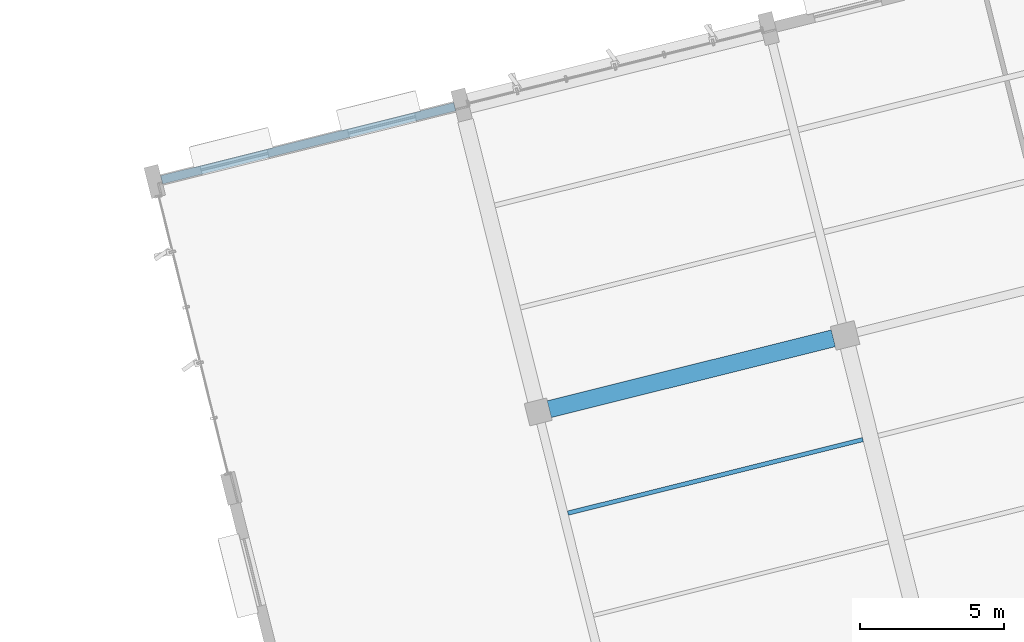
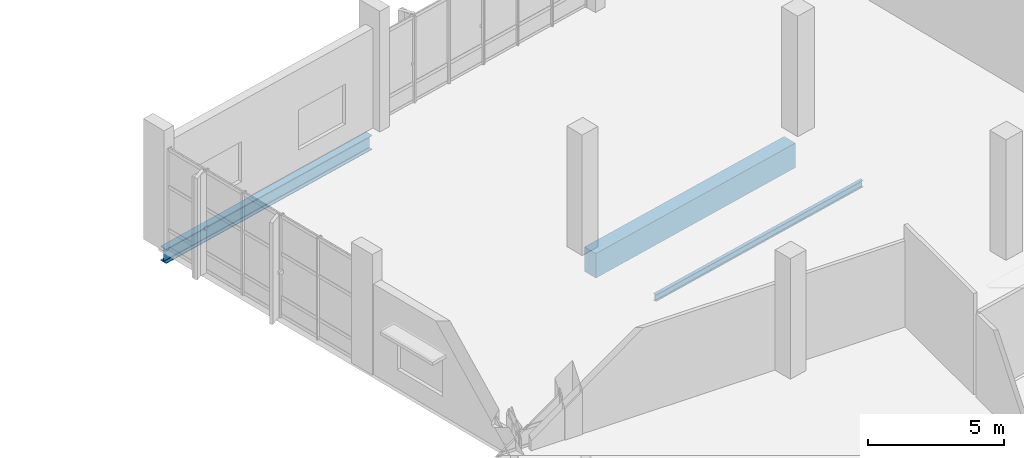
# One storey, part 85 of 176: 3 beams.
"""IFC4 building model written with IfcOpenShell, lengths in metres."""

from ifc_helpers import new_model, si_unit, direction, frame, origin, origin_2d, place, context, subcontext, project, spatial, rectangle, i_section, extrude, material, material_profile, profile_set, type_object, element, save


model = new_model("IFC4")

# Units and contexts
model_context = context("Model", 3, precision=1e-05, world=origin(), true_north=direction((0.0, 1.0)))
body_context = subcontext(model_context, "Body", "Model", "MODEL_VIEW")
ifc_project = project(units=[si_unit("LENGTHUNIT", "METRE"), si_unit("AREAUNIT", "SQUARE_METRE"), si_unit("VOLUMEUNIT", "CUBIC_METRE"), si_unit("PLANEANGLEUNIT", "RADIAN"), si_unit("MASSUNIT", "GRAM", prefix="KILO")], contexts=[model_context])

# Site, building, storey
site_placement = place(None, origin())
site = spatial("IfcSite", under=ifc_project, at=site_placement, CompositionType="ELEMENT")
building_placement = place(site_placement, origin())
building = spatial("IfcBuilding", under=site, at=building_placement, Name="Khorjan Park Terminus", CompositionType="ELEMENT")
storey_placement = place(building_placement, frame((0.0, 0.0, 6.0)))
storey = spatial("IfcBuildingStorey", under=building, at=storey_placement, Name="L01", CompositionType="ELEMENT", Elevation=6.0)

# Beams
ifc_material_1 = material(Name="Steel S355", Category="steel")
ifc_material_profile_1 = material_profile(ifc_material_1, i_section(OverallWidth=0.3, OverallDepth=0.64, WebThickness=0.0135, FlangeThickness=0.026, FilletRadius=0.027, at=origin_2d()), Name="HEA 650")
ifc_profile_set_1 = profile_set([ifc_material_profile_1], Name="Steel S355")
beam_type_1 = type_object("IfcBeamType", Name="BM-HEA650", PredefinedType="BEAM", material=ifc_profile_set_1)
beam_1_placement = place(storey_placement, frame((150.2709, 66.0988, -0.67), z_axis=(0.970295661671, 0.241922154716, 0.0), x_axis=(-0.241922154716, 0.970295661671, 0.0)))
element("IfcBeam", 1, at=beam_1_placement, inside=storey, type_object=beam_type_1, Name="Primary skew-grid floor girder SB-A65 (L01)", PredefinedType="BEAM", context=body_context, shape_type="SweptSolid", body=[
    extrude(i_section(OverallWidth=0.3, OverallDepth=0.64, WebThickness=0.0135, FlangeThickness=0.026, FilletRadius=0.027, at=origin_2d()), origin(), (0.0, 0.0, 1.0), 10.51),
])
ifc_material_2 = material(Name="Concrete C40/50", Category="concrete")
ifc_material_profile_2 = material_profile(ifc_material_2, rectangle(XDim=0.6, YDim=1.1, at=origin_2d()), Name="RC 600x1100")
ifc_profile_set_2 = profile_set([ifc_material_profile_2], Name="Concrete C40/50")
beam_type_2 = type_object("IfcBeamType", Name="BM-RC600x1100", PredefinedType="BEAM", material=ifc_profile_set_2)
beam_2_placement = place(storey_placement, frame((163.7508, 58.123, -0.9), z_axis=(0.970297661932, 0.241914131974, 0.0), x_axis=(-0.241914131974, 0.970297661932, 0.0)))
element("IfcBeam", 2, at=beam_2_placement, inside=storey, type_object=beam_type_2, Name="Primary skew-grid floor girder GB-11 (L01)", PredefinedType="BEAM", context=body_context, shape_type="SweptSolid", body=[
    extrude(rectangle(XDim=0.6, YDim=1.1, at=origin_2d()), origin(), (0.0, 0.0, 1.0), 10.185),
])
ifc_material_profile_3 = material_profile(ifc_material_1, i_section(OverallWidth=0.15, OverallDepth=0.3, WebThickness=0.0071, FlangeThickness=0.0107, FilletRadius=0.015, at=origin_2d()), Name="IPE 300")
ifc_profile_set_3 = profile_set([ifc_material_profile_3], Name="Steel S355")
beam_type_3 = type_object("IfcBeamType", Name="JS-IPE300", PredefinedType="JOIST", material=ifc_profile_set_3)
beam_3_placement = place(storey_placement, frame((164.4001, 54.5059, -0.5), z_axis=(0.970296385626, 0.241919251074, 0.0), x_axis=(-0.241919251074, 0.970296385626, 0.0)))
element("IfcBeam", 3, at=beam_3_placement, inside=storey, type_object=beam_type_3, Name="Secondary composite floor joist SJ-30 (L01)", PredefinedType="JOIST", context=body_context, shape_type="SweptSolid", body=[
    extrude(i_section(OverallWidth=0.15, OverallDepth=0.3, WebThickness=0.0071, FlangeThickness=0.0107, FilletRadius=0.015, at=origin_2d()), origin(), (0.0, 0.0, 1.0), 10.575),
])

save(model, "model.ifc")
